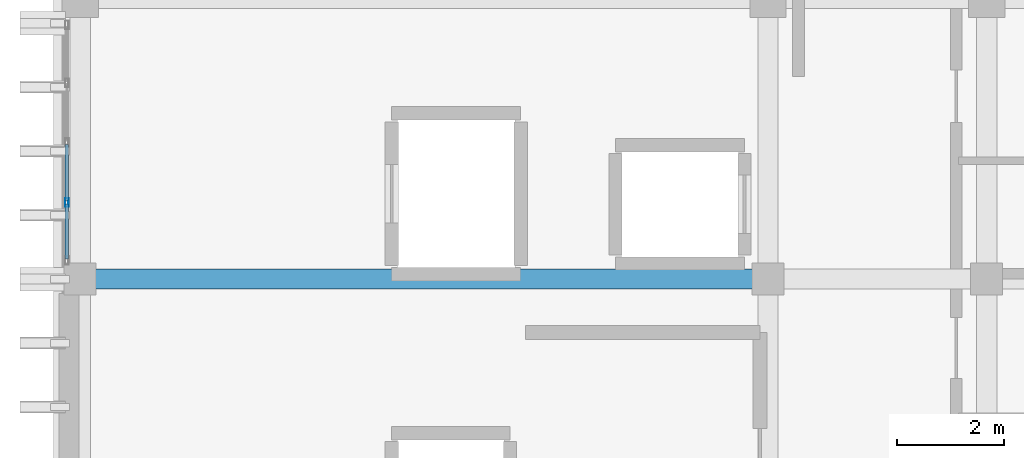
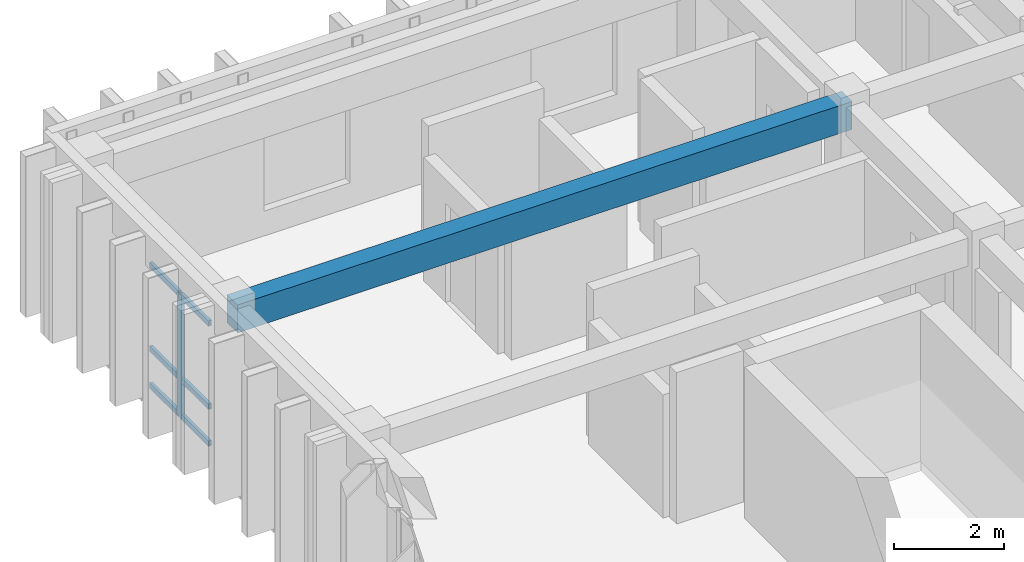
# One storey, part 36 of 53: 7 members, 1 beam, 1 element without a shape of its own.
"""IFC4 building model written with IfcOpenShell, lengths in metres."""

from ifc_helpers import new_model, si_unit, direction, frame, origin, origin_2d, place, context, subcontext, project, spatial, rectangle, hollow_rectangle, extrude, material, layer, layer_set, material_profile, profile_set, type_object, element, aggregate, save


model = new_model("IFC4")

# Units and contexts
model_context = context("Model", 3, precision=1e-05, world=origin(), true_north=direction((0.0, 1.0)))
body_context = subcontext(model_context, "Body", "Model", "MODEL_VIEW")
ifc_project = project(units=[si_unit("LENGTHUNIT", "METRE"), si_unit("AREAUNIT", "SQUARE_METRE"), si_unit("VOLUMEUNIT", "CUBIC_METRE"), si_unit("PLANEANGLEUNIT", "RADIAN"), si_unit("MASSUNIT", "GRAM", prefix="KILO")], contexts=[model_context])

# Site, building, storey
site_placement = place(None, origin())
site = spatial("IfcSite", under=ifc_project, at=site_placement, CompositionType="ELEMENT")
building_placement = place(site_placement, origin())
building = spatial("IfcBuilding", under=site, at=building_placement, Name="Nakhvara Creek Congress Hotel", CompositionType="ELEMENT")
storey_placement = place(building_placement, frame((0.0, 0.0, 35.39990234375)))
storey = spatial("IfcBuildingStorey", under=building, at=storey_placement, Name="L08", CompositionType="ELEMENT", Elevation=35.39990234375)

# Beam
ifc_material_1 = material(Name="Concrete C40/50", Category="concrete")
ifc_material_profile_1 = material_profile(ifc_material_1, rectangle(XDim=0.3798828125, YDim=0.6201171875, at=origin_2d()), Name="RC-BM 380x620", Category="LoadBearing")
ifc_profile_set_1 = profile_set([ifc_material_profile_1], Name="Concrete C40/50")
beam_type = type_object("IfcBeamType", Name="BM-RC-380X620", PredefinedType="BEAM", material=ifc_profile_set_1)
beam_placement = place(storey_placement, frame((149.449951171875, 120.0, 3.050048828125), z_axis=(1.0, 0.0, 0.0), x_axis=(0.0, 1.0, 0.0)))
element("IfcBeam", 1, at=beam_placement, inside=storey, type_object=beam_type, Name="Beam B10-L08-2516", PredefinedType="BEAM", context=body_context, shape_type="SweptSolid", body=[
    extrude(rectangle(XDim=0.3798828125, YDim=0.6201171875, at=origin_2d()), origin(), (0.0, 0.0, 1.0), 12.900146484375),
])

# Curtain wall, members
ifc_material_2 = material(Name="Bronze-anodised aluminium AW-6063-T6 and double-silver low-E glass", Category="aluminium")
ifc_layer = layer(ifc_material_2, 0.199951171875)
ifc_layer_set = layer_set([ifc_layer], Name="Bronze-anodised aluminium AW-6063-T6 and double-silver low-E glass")
curtain_wall_type = type_object("IfcCurtainWallType", Name="CW-HTL-UNIT", PredefinedType="USERDEFINED", material=ifc_layer_set)
curtain_wall_placement = place(storey_placement, origin())
curtain_wall = element("IfcCurtainWall", 2, at=curtain_wall_placement, inside=storey, type_object=curtain_wall_type, Name="Curtain Wall CW294", ObjectType="UNITISED", PredefinedType="USERDEFINED")
ifc_material_3 = material(Name="Bronze-anodised aluminium AW-6063-T6", Category="aluminium")
ifc_material_profile_2 = material_profile(ifc_material_3, hollow_rectangle(XDim=0.06494140625, YDim=0.159912109375, WallThickness=0.00390625, at=origin_2d()), Name="ALU-MULL 65x160x4", Category="LoadBearing")
ifc_profile_set_2 = profile_set([ifc_material_profile_2], Name="Bronze-anodised aluminium AW-6063-T6")
member_type_1 = type_object("IfcMemberType", Name="CW-MULL-160", PredefinedType="MULLION", material=ifc_profile_set_2)
member_1_placement = place(storey_placement, frame((149.199951171875, 121.436279296875, 0.0), z_axis=(0.0, 0.0, 1.0), x_axis=(-1.0, 0.0, 0.0)))
member_1 = element("IfcMember", 3, at=member_1_placement, type_object=member_type_1, Name="CW294 mullion 2", PredefinedType="MULLION", context=body_context, shape_type="SweptSolid", body=[
    extrude(hollow_rectangle(XDim=0.06494140625, YDim=0.159912109375, WallThickness=0.00390625, at=origin_2d()), origin(), (0.0, 0.0, 1.0), 2.732177734375),
])
ifc_material_profile_3 = material_profile(ifc_material_3, hollow_rectangle(XDim=0.06494140625, YDim=0.1201171875, WallThickness=0.00390625, at=origin_2d()), Name="ALU-TRAN 65x120x4", Category="LoadBearing")
ifc_profile_set_3 = profile_set([ifc_material_profile_3], Name="Bronze-anodised aluminium AW-6063-T6")
member_type_2 = type_object("IfcMemberType", Name="CW-TRAN-120", PredefinedType="USERDEFINED", material=ifc_profile_set_3)
member_2_placement = place(storey_placement, frame((149.199951171875, 120.3798828125, 0.03271484375), z_axis=(0.0, 1.0, 0.0), x_axis=(-1.0, 0.0, 0.0)))
member_2 = element("IfcMember", 4, at=member_2_placement, type_object=member_type_2, Name="CW294 transom 1.1", ObjectType="TRANSOM", PredefinedType="USERDEFINED", context=body_context, shape_type="SweptSolid", body=[
    extrude(hollow_rectangle(XDim=0.06494140625, YDim=0.1201171875, WallThickness=0.00390625, at=origin_2d()), origin(), (0.0, 0.0, 1.0), 1.02392578125),
])
member_3_placement = place(storey_placement, frame((149.199951171875, 120.3798828125, 0.85009765625), z_axis=(0.0, 1.0, 0.0), x_axis=(-1.0, 0.0, 0.0)))
member_3 = element("IfcMember", 5, at=member_3_placement, type_object=member_type_2, Name="CW294 transom 1.2", ObjectType="TRANSOM", PredefinedType="USERDEFINED", context=body_context, shape_type="SweptSolid", body=[
    extrude(hollow_rectangle(XDim=0.06494140625, YDim=0.1201171875, WallThickness=0.00390625, at=origin_2d()), origin(), (0.0, 0.0, 1.0), 1.02392578125),
])
member_4_placement = place(storey_placement, frame((149.199951171875, 120.3798828125, 2.69970703125), z_axis=(0.0, 1.0, 0.0), x_axis=(-1.0, 0.0, 0.0)))
member_4 = element("IfcMember", 6, at=member_4_placement, type_object=member_type_2, Name="CW294 transom 1.3", ObjectType="TRANSOM", PredefinedType="USERDEFINED", context=body_context, shape_type="SweptSolid", body=[
    extrude(hollow_rectangle(XDim=0.06494140625, YDim=0.1201171875, WallThickness=0.00390625, at=origin_2d()), origin(), (0.0, 0.0, 1.0), 1.02392578125),
])
member_5_placement = place(storey_placement, frame((149.199951171875, 121.46875, 0.03271484375), z_axis=(0.0, 1.0, 0.0), x_axis=(-1.0, 0.0, 0.0)))
member_5 = element("IfcMember", 7, at=member_5_placement, type_object=member_type_2, Name="CW294 transom 2.1", ObjectType="TRANSOM", PredefinedType="USERDEFINED", context=body_context, shape_type="SweptSolid", body=[
    extrude(hollow_rectangle(XDim=0.06494140625, YDim=0.1201171875, WallThickness=0.00390625, at=origin_2d()), origin(), (0.0, 0.0, 1.0), 1.05615234375),
])
member_6_placement = place(storey_placement, frame((149.199951171875, 121.46875, 0.85009765625), z_axis=(0.0, 1.0, 0.0), x_axis=(-1.0, 0.0, 0.0)))
member_6 = element("IfcMember", 8, at=member_6_placement, type_object=member_type_2, Name="CW294 transom 2.2", ObjectType="TRANSOM", PredefinedType="USERDEFINED", context=body_context, shape_type="SweptSolid", body=[
    extrude(hollow_rectangle(XDim=0.06494140625, YDim=0.1201171875, WallThickness=0.00390625, at=origin_2d()), origin(), (0.0, 0.0, 1.0), 1.05615234375),
])
member_7_placement = place(storey_placement, frame((149.199951171875, 121.46875, 2.69970703125), z_axis=(0.0, 1.0, 0.0), x_axis=(-1.0, 0.0, 0.0)))
member_7 = element("IfcMember", 9, at=member_7_placement, type_object=member_type_2, Name="CW294 transom 2.3", ObjectType="TRANSOM", PredefinedType="USERDEFINED", context=body_context, shape_type="SweptSolid", body=[
    extrude(hollow_rectangle(XDim=0.06494140625, YDim=0.1201171875, WallThickness=0.00390625, at=origin_2d()), origin(), (0.0, 0.0, 1.0), 1.05615234375),
])
aggregate(curtain_wall, [member_1, member_2, member_3, member_4, member_5, member_6, member_7])

save(model, "model.ifc")
